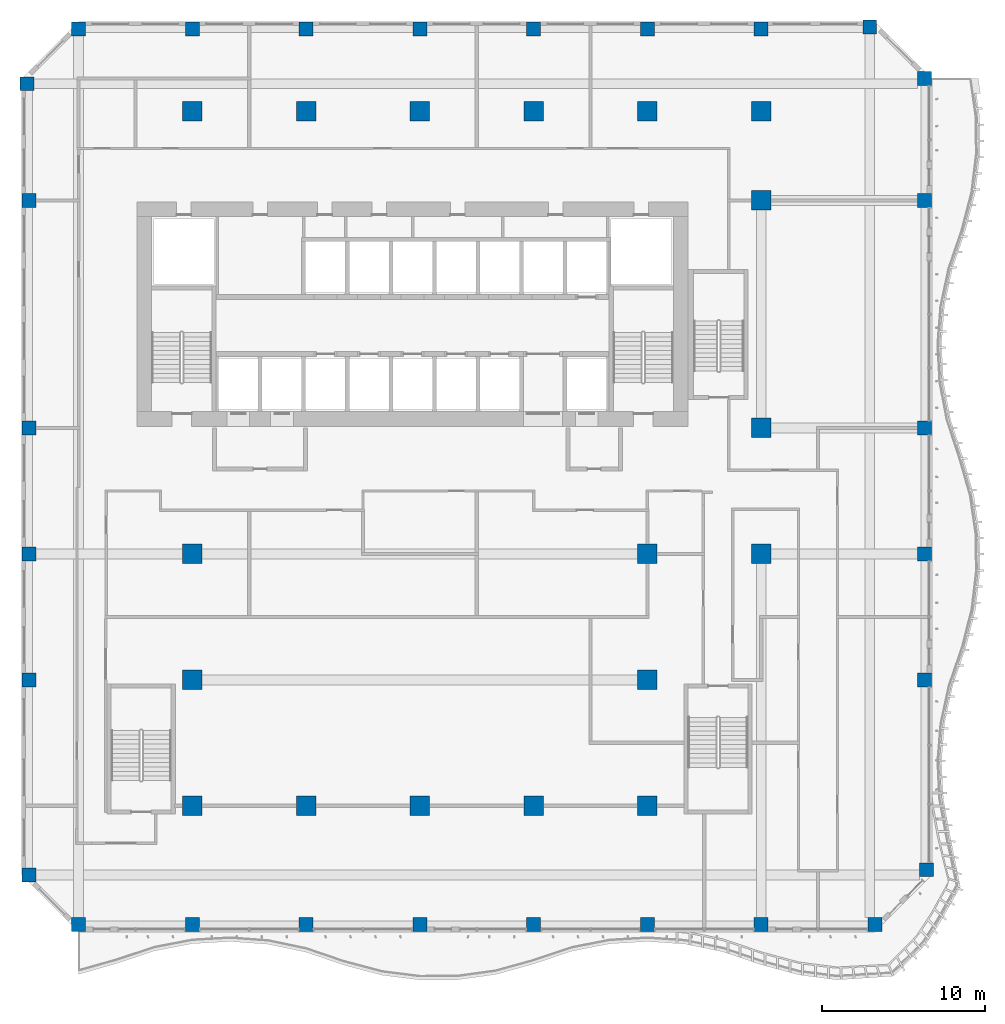
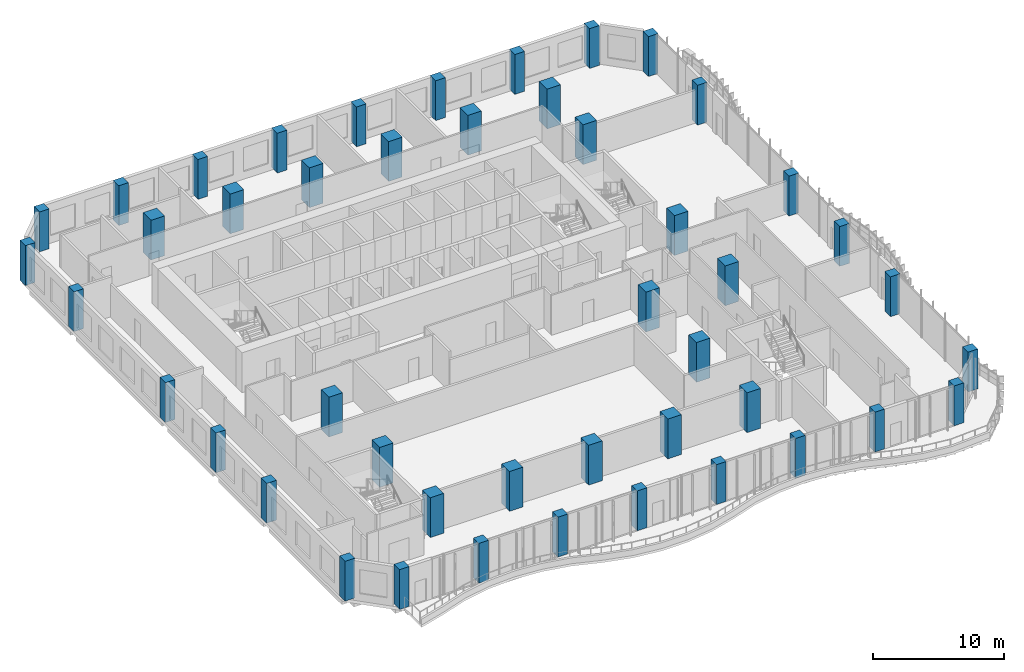
# One storey, part 1 of 27: 46 columns.
"""IFC4 building model written with IfcOpenShell, lengths in metres."""

from ifc_helpers import new_model, si_unit, direction, frame, origin, origin_2d, place, context, subcontext, project, spatial, rectangle, extrude, source, transform, mapped, material, material_profile, profile_set, type_object, element, save


model = new_model("IFC4")

# Units and contexts
model_context = context("Model", 3, precision=1e-05, world=origin(), true_north=direction((0.0, 1.0)))
body_context = subcontext(model_context, "Body", "Model", "MODEL_VIEW")
ifc_project = project(units=[si_unit("LENGTHUNIT", "METRE"), si_unit("AREAUNIT", "SQUARE_METRE"), si_unit("VOLUMEUNIT", "CUBIC_METRE"), si_unit("PLANEANGLEUNIT", "RADIAN"), si_unit("MASSUNIT", "GRAM", prefix="KILO")], contexts=[model_context])

# Site, building, storey
site_placement = place(None, origin())
site = spatial("IfcSite", under=ifc_project, at=site_placement, CompositionType="ELEMENT")
building_placement = place(site_placement, origin())
building = spatial("IfcBuilding", under=site, at=building_placement, Name="Kilnfold Tower and Market Hall", CompositionType="ELEMENT")
storey_placement = place(building_placement, frame((0.0, 0.0, 116.60009765625)))
storey = spatial("IfcBuildingStorey", under=building, at=storey_placement, Name="L27", CompositionType="ELEMENT", Elevation=116.60009765625)

# Columns
ifc_material_1 = material(Name="Concrete C80", Category="concrete")
ifc_material_profile_1 = material_profile(ifc_material_1, rectangle(XDim=0.85009765625, YDim=0.85009765625, at=origin_2d()), Name="RC 850x850")
ifc_profile_set_1 = profile_set([ifc_material_profile_1], Name="Concrete C80")
column_type_1 = type_object("IfcColumnType", Name="COLUMN 850X850 C80", PredefinedType="COLUMN", material=ifc_profile_set_1)
shared_shape_1 = source(origin(), body_context, "Body", "SweptSolid", [
    extrude(rectangle(XDim=0.85009765625, YDim=0.85009765625, at=origin_2d()), origin(), (0.0, 0.0, 1.0), 3.719970703125),
])
for number, where, z_axis, x_axis, name in (
    (1, (-22.681884765625, 29.181884765625, 0.0), (0.0, 0.0, 1.0), (1.0, 0.0, 0.0), "Column C-B3-1I"),
    (2, (-22.550048828125, -19.5, 0.0), (0.0, 0.0, 1.0), (1.0, 0.0, 0.0), "Column C-B3-1B"),
    (3, (-22.550048828125, -7.5, 0.0), (0.0, 0.0, 1.0), (1.0, 0.0, 0.0), "Column C-B3-1D"),
    (4, (-22.550048828125, 0.25, 0.0), (0.0, 0.0, 1.0), (1.0, 0.0, 0.0), "Column C-B3-1E"),
    (5, (-22.550048828125, 8.0, 0.0), (0.0, 0.0, 1.0), (1.0, 0.0, 0.0), "Column C-B3-1F"),
    (6, (-22.550048828125, 22.0, 0.0), (0.0, 0.0, 1.0), (1.0, 0.0, 0.0), "Column C-B3-1G"),
    (7, (-19.5, -22.550048828125, 0.0), (0.0, 0.0, 1.0), (1.0, 0.0, 0.0), "Column C-B3-2A"),
    (8, (-19.5, 32.550048828125, 0.0), (0.0, 0.0, 1.0), (1.0, 0.0, 0.0), "Column C-B3-2J"),
    (9, (-12.5, -22.550048828125, 0.0), (0.0, 0.0, 1.0), (1.0, 0.0, 0.0), "Column C-B3-3A"),
    (10, (-12.5, 32.550048828125, 0.0), (0.0, 0.0, 1.0), (1.0, 0.0, 0.0), "Column C-B3-3J"),
    (11, (-5.5, -22.550048828125, 0.0), (0.0, 0.0, 1.0), (1.0, 0.0, 0.0), "Column C-B3-4A"),
    (12, (-5.5, 32.550048828125, 0.0), (0.0, 0.0, 1.0), (1.0, 0.0, 0.0), "Column C-B3-4J"),
    (13, (1.5, -22.550048828125, 0.0), (0.0, 0.0, 1.0), (1.0, 0.0, 0.0), "Column C-B3-5A"),
    (14, (1.5, 32.550048828125, 0.0), (0.0, 0.0, 1.0), (1.0, 0.0, 0.0), "Column C-B3-5J"),
    (15, (8.5, -22.550048828125, 0.0), (0.0, 0.0, 1.0), (1.0, 0.0, 0.0), "Column C-B3-6A"),
    (16, (8.5, 32.550048828125, 0.0), (0.0, 0.0, 1.0), (1.0, 0.0, 0.0), "Column C-B3-6J"),
    (17, (15.5, -22.550048828125, 0.0), (0.0, 0.0, 1.0), (1.0, 0.0, 0.0), "Column C-B3-7A"),
    (18, (15.5, 32.550048828125, 0.0), (0.0, 0.0, 1.0), (1.0, 0.0, 0.0), "Column C-B3-7J"),
    (19, (22.5, -22.550048828125, 0.0), (0.0, 0.0, 1.0), (1.0, 0.0, 0.0), "Column C-B3-8A"),
    (20, (22.5, 32.550048828125, 0.0), (0.0, 0.0, 1.0), (1.0, 0.0, 0.0), "Column C-B3-8J"),
    (21, (29.181884765625, 32.681884765625, 0.0), (0.0, 0.0, 1.0), (1.0, 0.0, 0.0), "Column C-B3-9J"),
    (22, (29.5, -22.550048828125, 0.0), (0.0, 0.0, 1.0), (1.0, 0.0, 0.0), "Column C-B3-9A"),
    (23, (32.550048828125, -7.5, 0.0), (0.0, 0.0, 1.0), (1.0, 0.0, 0.0), "Column C-B3-10D"),
    (24, (32.550048828125, 0.25, 0.0), (0.0, 0.0, 1.0), (1.0, 0.0, 0.0), "Column C-B3-10E"),
    (25, (32.550048828125, 8.0, 0.0), (0.0, 0.0, 1.0), (1.0, 0.0, 0.0), "Column C-B3-10F"),
    (26, (32.550048828125, 22.0, 0.0), (0.0, 0.0, 1.0), (1.0, 0.0, 0.0), "Column C-B3-10G"),
    (27, (32.550048828125, 29.5, 0.0), (0.0, 0.0, 1.0), (1.0, 0.0, 0.0), "Column C-B3-10I"),
    (28, (32.681884765625, -19.181884765625, 0.0), (0.0, 0.0, 1.0), (1.0, 0.0, 0.0), "Column C-B3-10B"),
):
    element("IfcColumn", number, at=place(storey_placement, frame(where, z_axis=z_axis, x_axis=x_axis)), inside=storey, type_object=column_type_1, Name=name, PredefinedType="COLUMN", context=body_context, shape_type="MappedRepresentation", body=[
        mapped(shared_shape_1, transform((0.0, 0.0, 0.0))),
    ])
ifc_material_2 = material(Name="Concrete C80", Category="concrete")
ifc_material_profile_2 = material_profile(ifc_material_2, rectangle(XDim=1.199951171875, YDim=1.199951171875, at=origin_2d()), Name="RC 1200x1200")
ifc_profile_set_2 = profile_set([ifc_material_profile_2], Name="Concrete C80")
column_type_2 = type_object("IfcColumnType", Name="COLUMN 1200X1200 C80", PredefinedType="COLUMN", material=ifc_profile_set_2)
shared_shape_2 = source(origin(), body_context, "Body", "SweptSolid", [
    extrude(rectangle(XDim=1.199951171875, YDim=1.199951171875, at=origin_2d()), origin(), (0.0, 0.0, 1.0), 3.719970703125),
])
for number, where, z_axis, x_axis, name in (
    (29, (-12.5, -15.25, 0.0), (0.0, 0.0, 1.0), (1.0, 0.0, 0.0), "Column C-B3-3C"),
    (30, (-12.5, -7.5, 0.0), (0.0, 0.0, 1.0), (1.0, 0.0, 0.0), "Column C-B3-3D"),
    (31, (-12.5, 0.25, 0.0), (0.0, 0.0, 1.0), (1.0, 0.0, 0.0), "Column C-B3-3E"),
    (32, (-12.5, 27.5, 0.0), (0.0, 0.0, 1.0), (1.0, 0.0, 0.0), "Column C-B3-3H"),
    (33, (-5.5, -15.25, 0.0), (0.0, 0.0, 1.0), (1.0, 0.0, 0.0), "Column C-B3-4C"),
    (34, (-5.5, 27.5, 0.0), (0.0, 0.0, 1.0), (1.0, 0.0, 0.0), "Column C-B3-4H"),
    (35, (1.5, -15.25, 0.0), (0.0, 0.0, 1.0), (1.0, 0.0, 0.0), "Column C-B3-5C"),
    (36, (1.5, 27.5, 0.0), (0.0, 0.0, 1.0), (1.0, 0.0, 0.0), "Column C-B3-5H"),
    (37, (8.5, -15.25, 0.0), (0.0, 0.0, 1.0), (1.0, 0.0, 0.0), "Column C-B3-6C"),
    (38, (8.5, 27.5, 0.0), (0.0, 0.0, 1.0), (1.0, 0.0, 0.0), "Column C-B3-6H"),
    (39, (15.5, -15.25, 0.0), (0.0, 0.0, 1.0), (1.0, 0.0, 0.0), "Column C-B3-7C"),
    (40, (15.5, -7.5, 0.0), (0.0, 0.0, 1.0), (1.0, 0.0, 0.0), "Column C-B3-7D"),
    (41, (15.5, 0.25, 0.0), (0.0, 0.0, 1.0), (1.0, 0.0, 0.0), "Column C-B3-7E"),
    (42, (15.5, 27.5, 0.0), (0.0, 0.0, 1.0), (1.0, 0.0, 0.0), "Column C-B3-7H"),
    (43, (22.5, 0.25, 0.0), (0.0, 0.0, 1.0), (1.0, 0.0, 0.0), "Column C-B3-8E"),
    (44, (22.5, 8.0, 0.0), (0.0, 0.0, 1.0), (1.0, 0.0, 0.0), "Column C-B3-8F"),
    (45, (22.5, 22.0, 0.0), (0.0, 0.0, 1.0), (1.0, 0.0, 0.0), "Column C-B3-8G"),
    (46, (22.5, 27.5, 0.0), (0.0, 0.0, 1.0), (1.0, 0.0, 0.0), "Column C-B3-8H"),
):
    element("IfcColumn", number, at=place(storey_placement, frame(where, z_axis=z_axis, x_axis=x_axis)), inside=storey, type_object=column_type_2, Name=name, PredefinedType="COLUMN", context=body_context, shape_type="MappedRepresentation", body=[
        mapped(shared_shape_2, transform((0.0, 0.0, 0.0))),
    ])

save(model, "model.ifc")
